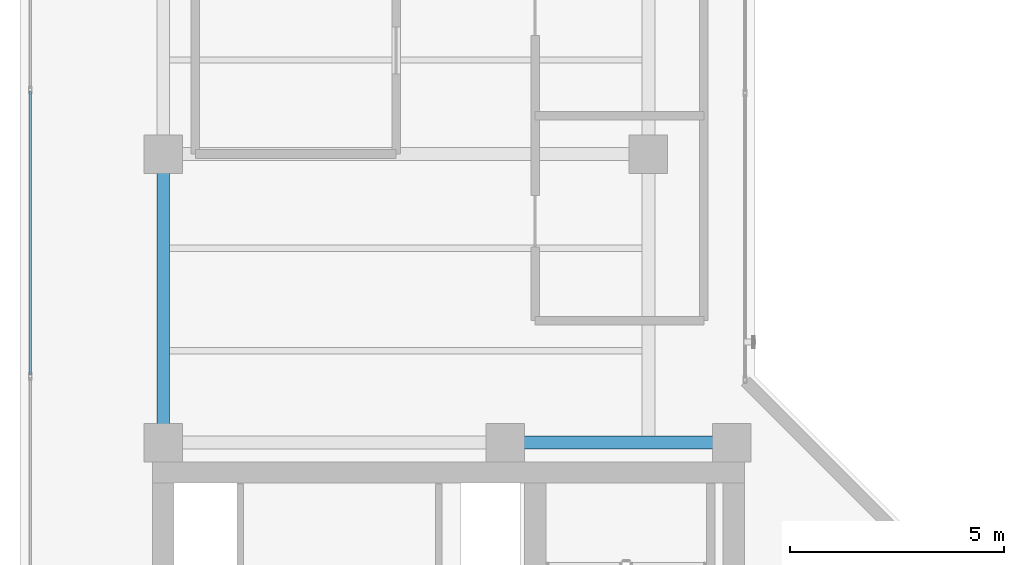
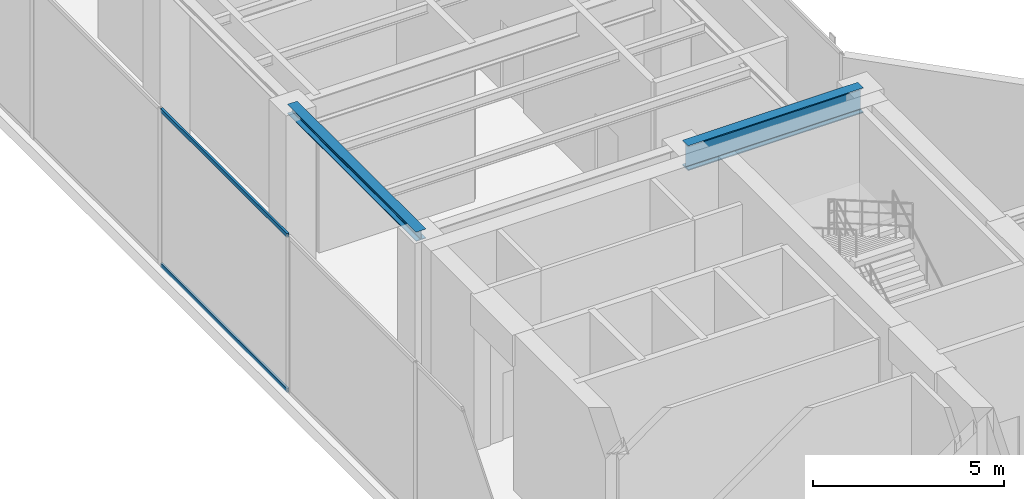
# One storey, part 11 of 29: 2 beams, 2 members, 1 element without a shape of its own.
"""IFC4 building model written with IfcOpenShell, lengths in metres."""

from ifc_helpers import new_model, si_unit, direction, frame, origin, origin_with_axes, origin_2d, place, context, subcontext, project, spatial, hollow_rectangle, i_section, extrude, source, transform, mapped, material, layer, layer_set, material_profile, profile_set, type_object, element, aggregate, save


model = new_model("IFC4")

# Units and contexts
model_context = context("Model", 3, precision=1e-05, world=origin(), true_north=direction((0.0, 1.0)))
body_context = subcontext(model_context, "Body", "Model", "MODEL_VIEW")
ifc_project = project(units=[si_unit("LENGTHUNIT", "METRE"), si_unit("AREAUNIT", "SQUARE_METRE"), si_unit("VOLUMEUNIT", "CUBIC_METRE"), si_unit("PLANEANGLEUNIT", "RADIAN"), si_unit("MASSUNIT", "GRAM", prefix="KILO")], contexts=[model_context])

# Site, building, storey
site_placement = place(None, origin())
site = spatial("IfcSite", under=ifc_project, at=site_placement, CompositionType="ELEMENT")
building_placement = place(site_placement, origin())
building = spatial("IfcBuilding", under=site, at=building_placement, Name="Kolvaren Waterfront Exchange", CompositionType="ELEMENT")
storey_placement = place(building_placement, frame((0.0, 0.0, 338.800048828125)))
storey = spatial("IfcBuildingStorey", under=building, at=storey_placement, Name="L87", CompositionType="ELEMENT", Elevation=338.800048828125)

# Beams
ifc_material_1 = material(Name="Steel S355", Category="steel")
ifc_material_profile_1 = material_profile(ifc_material_1, i_section(OverallWidth=0.300048828125, OverallDepth=0.300048828125, WebThickness=0.010986328125, FlangeThickness=0.01904296875, FilletRadius=0.027099609375, at=origin_2d()), Name="HEB300")
ifc_profile_set_1 = profile_set([ifc_material_profile_1], Name="Steel S355")
beam_type_1 = type_object("IfcBeamType", Name="STR-BM-HEB300", PredefinedType="SPANDREL", material=ifc_profile_set_1)
beam_1_placement = place(storey_placement, frame((7.449951171875, 24.449951171875, 4.869873046875), z_axis=(0.0, 1.0, 0.0), x_axis=(-1.0, 0.0, 0.0)))
element("IfcBeam", 1, at=beam_1_placement, inside=storey, type_object=beam_type_1, Name="L87 north-arm edge beam 1", PredefinedType="SPANDREL", context=body_context, shape_type="SweptSolid", body=[
    extrude(i_section(OverallWidth=0.300048828125, OverallDepth=0.300048828125, WebThickness=0.010986328125, FlangeThickness=0.01904296875, FilletRadius=0.027099609375, at=origin_2d()), origin(), (0.0, 0.0, 1.0), 6.75),
])
ifc_material_profile_2 = material_profile(ifc_material_1, i_section(OverallWidth=0.300048828125, OverallDepth=0.800048828125, WebThickness=0.017578125, FlangeThickness=0.032958984375, FilletRadius=0.030029296875, at=origin_2d()), Name="HEB800")
ifc_profile_set_2 = profile_set([ifc_material_profile_2], Name="Steel S355")
beam_type_2 = type_object("IfcBeamType", Name="STR-BM-HEB800", PredefinedType="BEAM", material=ifc_profile_set_2)
beam_2_placement = place(storey_placement, frame((15.449951171875, 24.449951171875, 4.619873046875), z_axis=(1.0, 0.0, 0.0), x_axis=(0.0, 1.0, 0.0)))
element("IfcBeam", 2, at=beam_2_placement, inside=storey, type_object=beam_type_2, Name="L87 north-arm girder 1B", PredefinedType="BEAM", context=body_context, shape_type="SweptSolid", body=[
    extrude(i_section(OverallWidth=0.300048828125, OverallDepth=0.800048828125, WebThickness=0.017578125, FlangeThickness=0.032958984375, FilletRadius=0.030029296875, at=origin_2d()), origin(), (0.0, 0.0, 1.0), 5.300048828125),
])

# Curtain wall, members
ifc_material_2 = material(Name="Anodised dark bronze spandrel aluminium", Category="aluminium")
ifc_layer = layer(ifc_material_2, 0.219970703125, Name="Anodised dark bronze spandrel aluminium")
ifc_layer_set = layer_set([ifc_layer], Name="Anodised dark bronze spandrel aluminium")
curtain_wall_type = type_object("IfcCurtainWallType", Name="ARC-CW-SYS6", PredefinedType="USERDEFINED", material=ifc_layer_set)
curtain_wall_placement = place(storey_placement, origin())
curtain_wall = element("IfcCurtainWall", 3, at=curtain_wall_placement, inside=storey, type_object=curtain_wall_type, Name="L87 stick curtain wall CW6 (CW-L87-W)", ObjectType="STICK CURTAIN WALL", PredefinedType="USERDEFINED")
ifc_material_3 = material(Name="Anodised bronze aluminium 6063-T6", Category="aluminium")
ifc_material_profile_3 = material_profile(ifc_material_3, hollow_rectangle(XDim=0.06494140625, YDim=0.1298828125, WallThickness=0.00390625, at=origin_2d()), Name="ALU-TRN-130x65x4")
ifc_profile_set_3 = profile_set([ifc_material_profile_3], Name="Anodised bronze aluminium 6063-T6")
member_type = type_object("IfcMemberType", Name="ARC-CWT-130", PredefinedType="USERDEFINED", material=ifc_profile_set_3)
shared_shape = source(origin_with_axes(), body_context, "Body", "SweptSolid", [
    extrude(hollow_rectangle(XDim=0.06494140625, YDim=0.1298828125, WallThickness=0.00390625, at=origin_2d()), origin(), (0.0, 0.0, 1.0), 6.625),
])
member_1_placement = place(storey_placement, frame((4.340087890625, 26.03759765625, 0.032470703125), z_axis=(0.0, 1.0, 0.0), x_axis=(-1.0, 0.0, 0.0)))
member_1 = element("IfcMember", 4, at=member_1_placement, type_object=member_type, Name="CW6 transom 4.1", ObjectType="TRANSOM", PredefinedType="USERDEFINED", context=body_context, shape_type="MappedRepresentation", body=[
    mapped(shared_shape, transform((0.0, 0.0, 0.0), x_axis=(1.0, 0.0, 0.0), y_axis=(0.0, 1.0, 0.0), z_axis=(0.0, 0.0, 1.0), scale=1.0)),
])
member_2_placement = place(storey_placement, frame((4.340087890625, 26.03759765625, 4.987548828125), z_axis=(0.0, 1.0, 0.0), x_axis=(-1.0, 0.0, 0.0)))
member_2 = element("IfcMember", 5, at=member_2_placement, type_object=member_type, Name="CW6 transom 4.2", ObjectType="TRANSOM", PredefinedType="USERDEFINED", context=body_context, shape_type="MappedRepresentation", body=[
    mapped(shared_shape, transform((0.0, 0.0, 0.0), x_axis=(1.0, 0.0, 0.0), y_axis=(0.0, 1.0, 0.0), z_axis=(0.0, 0.0, 1.0), scale=1.0)),
])
aggregate(curtain_wall, [member_1, member_2])

save(model, "model.ifc")
